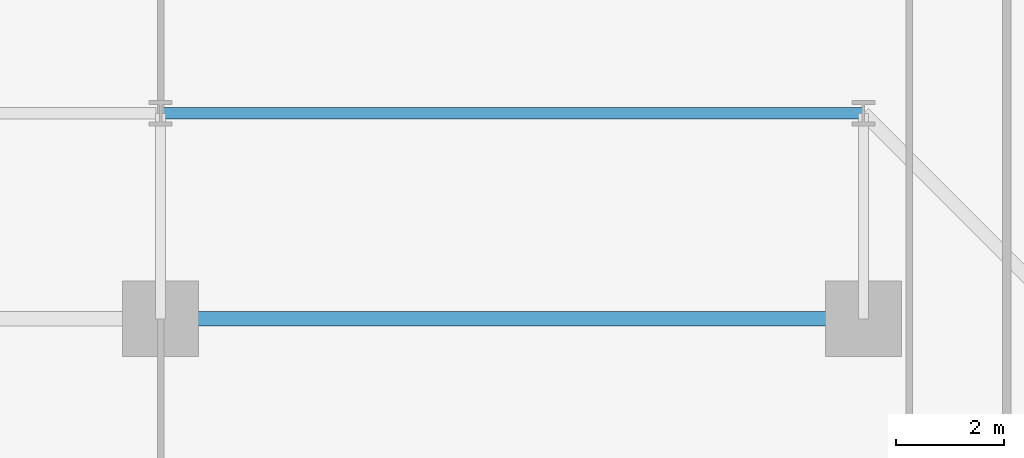
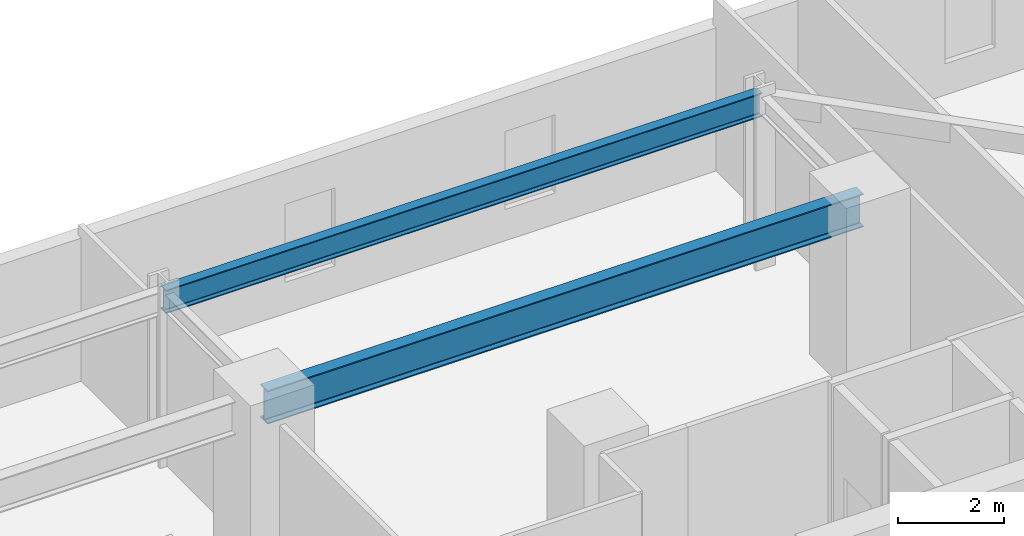
# One storey, part 15 of 33: 2 beams.
"""IFC4 building model written with IfcOpenShell, lengths in metres."""

from ifc_helpers import new_model, si_unit, direction, frame, origin, origin_2d, place, context, subcontext, project, spatial, i_section, extrude, material, material_profile, profile_set, type_object, element, save


model = new_model("IFC4")

# Units and contexts
model_context = context("Model", 3, precision=1e-05, world=origin(), true_north=direction((0.0, 1.0)))
body_context = subcontext(model_context, "Body", "Model", "MODEL_VIEW")
ifc_project = project(units=[si_unit("LENGTHUNIT", "METRE"), si_unit("AREAUNIT", "SQUARE_METRE"), si_unit("VOLUMEUNIT", "CUBIC_METRE"), si_unit("PLANEANGLEUNIT", "RADIAN"), si_unit("MASSUNIT", "GRAM", prefix="KILO")], contexts=[model_context])

# Site, building, storey
site_placement = place(None, origin())
site = spatial("IfcSite", under=ifc_project, at=site_placement, CompositionType="ELEMENT")
building_placement = place(site_placement, origin())
building = spatial("IfcBuilding", under=site, at=building_placement, Name="Thornwick Lancets Civic Towers", CompositionType="ELEMENT")
storey_placement = place(building_placement, frame((0.0, 0.0, 49.5)))
storey = spatial("IfcBuildingStorey", under=building, at=storey_placement, Name="L12", CompositionType="ELEMENT", Elevation=49.5)

# Beams
ifc_material = material(Name="Steel S355JR", Category="steel")
ifc_material_profile_1 = material_profile(ifc_material, i_section(OverallWidth=0.2119140625, OverallDepth=0.54443359375, WebThickness=0.0126953125, FlangeThickness=0.021240234375, FilletRadius=0.0126953125, at=origin_2d()), Name="UKB 533x210x122")
ifc_profile_set_1 = profile_set([ifc_material_profile_1], Name="Steel S355JR")
beam_type_1 = type_object("IfcBeamType", Name="BM_EDGE_533_122", PredefinedType="SPANDREL", material=ifc_profile_set_1)
beam_1_placement = place(storey_placement, frame((101.5, 48.10009765625, 3.687744140625), z_axis=(-1.0, 0.0, 0.0), x_axis=(0.0, -1.0, 0.0)))
element("IfcBeam", 1, at=beam_1_placement, inside=storey, type_object=beam_type_1, Name="BM-EDGE-L12-B-S1-1", PredefinedType="SPANDREL", context=body_context, shape_type="SweptSolid", body=[
    extrude(i_section(OverallWidth=0.2119140625, OverallDepth=0.54443359375, WebThickness=0.0126953125, FlangeThickness=0.021240234375, FilletRadius=0.0126953125, at=origin_2d()), origin(), (0.0, 0.0, 1.0), 13.0),
])
ifc_material_profile_2 = material_profile(ifc_material, i_section(OverallWidth=0.26806640625, OverallDepth=0.769775390625, WebThickness=0.015625, FlangeThickness=0.025390625, FilletRadius=0.0166015625, at=origin_2d()), Name="UKB 762x267x197")
ifc_profile_set_2 = profile_set([ifc_material_profile_2], Name="Steel S355JR")
beam_type_2 = type_object("IfcBeamType", Name="BM_GIRD_762_197", PredefinedType="BEAM", material=ifc_profile_set_2)
beam_2_placement = place(storey_placement, frame((101.5, 44.300048828125, 3.5751953125), z_axis=(-1.0, 0.0, 0.0), x_axis=(0.0, -1.0, 0.0)))
element("IfcBeam", 2, at=beam_2_placement, inside=storey, type_object=beam_type_2, Name="BM-SPINE-L12-B-3-4", PredefinedType="BEAM", context=body_context, shape_type="SweptSolid", body=[
    extrude(i_section(OverallWidth=0.26806640625, OverallDepth=0.769775390625, WebThickness=0.015625, FlangeThickness=0.025390625, FilletRadius=0.0166015625, at=origin_2d()), origin(), (0.0, 0.0, 1.0), 13.0),
])

save(model, "model.ifc")
